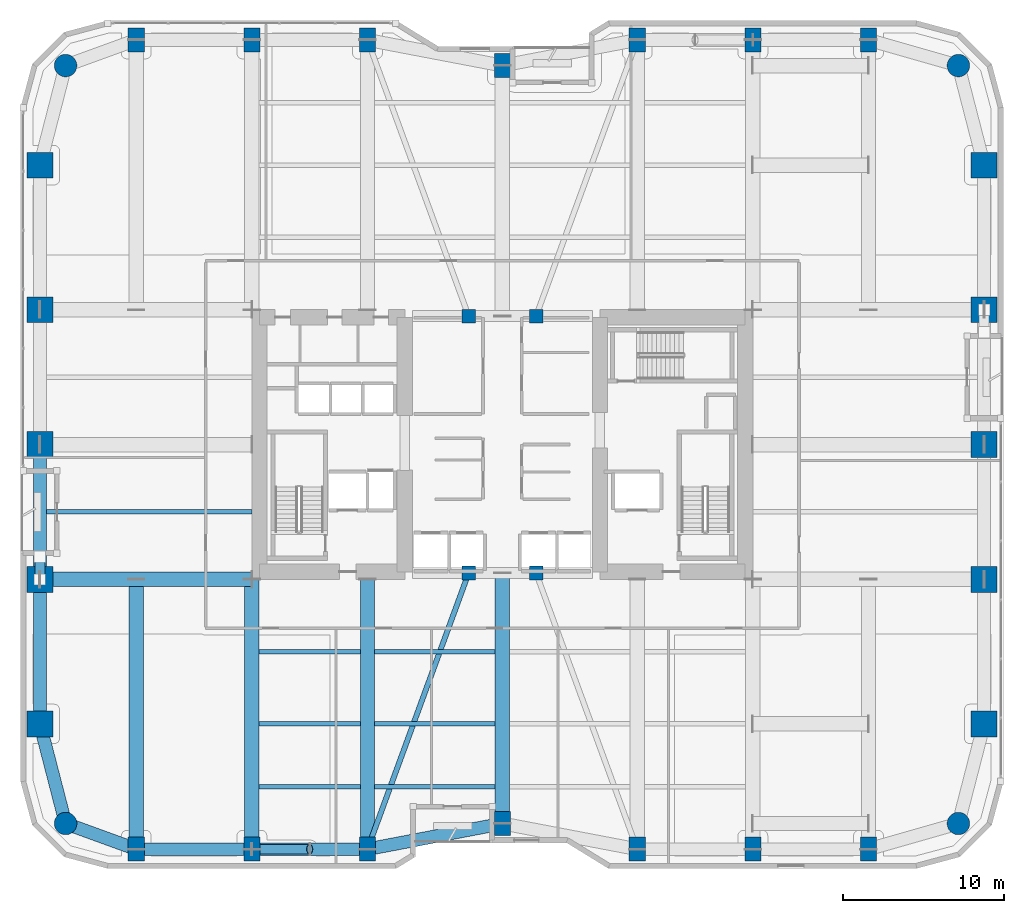
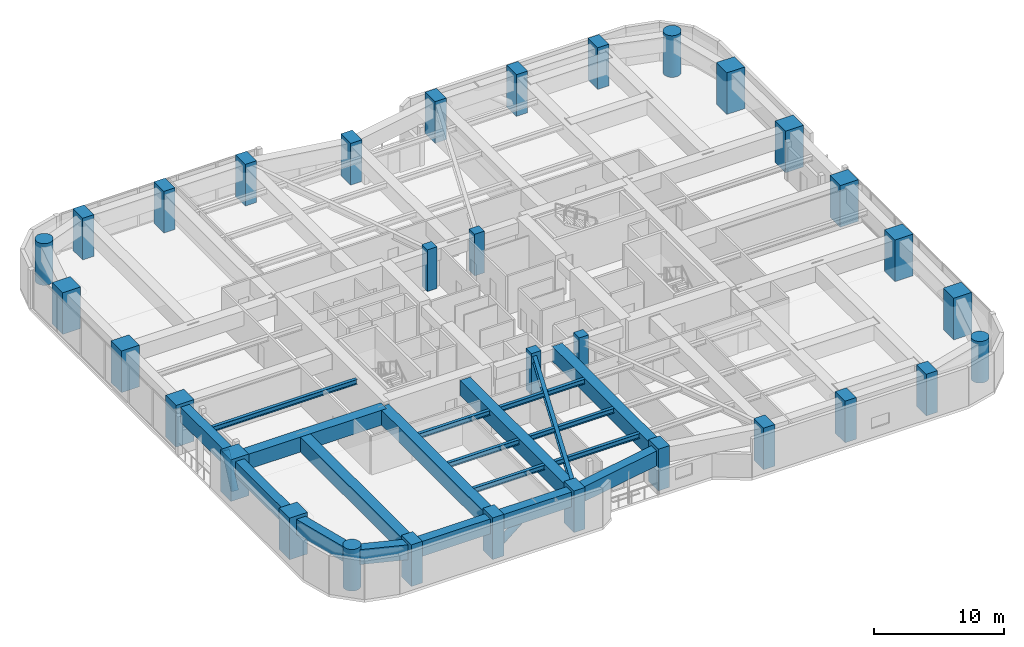
# One storey, part 1 of 28: 32 columns, 20 beams, 2 members.
"""IFC4 building model written with IfcOpenShell, lengths in metres."""

from ifc_helpers import new_model, si_unit, direction, frame, origin, origin_2d, place, context, subcontext, project, spatial, rectangle, hollow_rectangle, circle, hollow_circle, i_section, extrude, material, material_profile, profile_set, type_object, element, save


model = new_model("IFC4")

# Units and contexts
model_context = context("Model", 3, precision=1e-05, world=origin(), true_north=direction((0.0, 1.0)))
body_context = subcontext(model_context, "Body", "Model", "MODEL_VIEW")
ifc_project = project(units=[si_unit("LENGTHUNIT", "METRE"), si_unit("AREAUNIT", "SQUARE_METRE"), si_unit("VOLUMEUNIT", "CUBIC_METRE"), si_unit("PLANEANGLEUNIT", "RADIAN"), si_unit("MASSUNIT", "GRAM", prefix="KILO")], contexts=[model_context])

# Site, building, storey
site_placement = place(None, origin())
site = spatial("IfcSite", under=ifc_project, at=site_placement, CompositionType="ELEMENT")
building_placement = place(site_placement, origin())
building = spatial("IfcBuilding", under=site, at=building_placement, Name="Kiyonajd Concourse Tower", CompositionType="ELEMENT")
storey_placement = place(building_placement, frame((0.0, 0.0, 76.800048828125)))
storey = spatial("IfcBuildingStorey", under=building, at=storey_placement, Name="L20", CompositionType="ELEMENT", Elevation=76.800048828125)

# Columns
ifc_material_1 = material(Name="Concrete C80/95", Category="concrete")
ifc_material_profile_1 = material_profile(ifc_material_1, rectangle(XDim=1.0, YDim=1.5, at=origin_2d()), Name="RC-1500x1000")
ifc_profile_set_1 = profile_set([ifc_material_profile_1], Name="Concrete C80/95")
column_type_1 = type_object("IfcColumnType", Name="CL-BLADE-1500", PredefinedType="COLUMN", material=ifc_profile_set_1)
for number, where, z_axis, x_axis, name in (
    (1, (25.199951171875, 10.800048828125, 0.0), (0.0, 0.0, 1.0), (1.0, 0.0, 0.0), "L20 Perimeter Bundled Tube Column"),
    (2, (25.199951171875, 61.199951171875, 0.0), (0.0, 0.0, 1.0), (1.0, 0.0, 0.0), "L20 Perimeter Bundled Tube Column"),
    (3, (32.39990234375, 10.800048828125, 0.0), (0.0, 0.0, 1.0), (1.0, 0.0, 0.0), "L20 Perimeter Bundled Tube Column"),
    (4, (32.39990234375, 61.199951171875, 0.0), (0.0, 0.0, 1.0), (1.0, 0.0, 0.0), "L20 Perimeter Bundled Tube Column"),
    (5, (39.60009765625, 10.800048828125, 0.0), (0.0, 0.0, 1.0), (1.0, 0.0, 0.0), "L20 Perimeter Bundled Tube Column"),
    (6, (39.60009765625, 61.199951171875, 0.0), (0.0, 0.0, 1.0), (1.0, 0.0, 0.0), "L20 Perimeter Bundled Tube Column"),
    (7, (48.0, 12.39990234375, 0.0), (0.0, 0.0, 1.0), (1.0, 0.0, 0.0), "L20 Perimeter Bundled Tube Column"),
    (8, (48.0, 59.60009765625, 0.0), (0.0, 0.0, 1.0), (1.0, 0.0, 0.0), "L20 Perimeter Bundled Tube Column"),
    (9, (56.39990234375, 10.800048828125, 0.0), (0.0, 0.0, 1.0), (1.0, 0.0, 0.0), "L20 Perimeter Bundled Tube Column"),
    (10, (56.39990234375, 61.199951171875, 0.0), (0.0, 0.0, 1.0), (1.0, 0.0, 0.0), "L20 Perimeter Bundled Tube Column"),
    (11, (63.60009765625, 10.800048828125, 0.0), (0.0, 0.0, 1.0), (1.0, 0.0, 0.0), "L20 Perimeter Bundled Tube Column"),
    (12, (63.60009765625, 61.199951171875, 0.0), (0.0, 0.0, 1.0), (1.0, 0.0, 0.0), "L20 Perimeter Bundled Tube Column"),
    (13, (70.800048828125, 10.800048828125, 0.0), (0.0, 0.0, 1.0), (1.0, 0.0, 0.0), "L20 Perimeter Bundled Tube Column"),
    (14, (70.800048828125, 61.199951171875, 0.0), (0.0, 0.0, 1.0), (1.0, 0.0, 0.0), "L20 Perimeter Bundled Tube Column"),
):
    element("IfcColumn", number, at=place(storey_placement, frame(where, z_axis=z_axis, x_axis=x_axis)), inside=storey, type_object=column_type_1, Name=name, PredefinedType="COLUMN", context=body_context, shape_type="SweptSolid", body=[
        extrude(rectangle(XDim=1.0, YDim=1.5, at=origin_2d()), origin(), (0.0, 0.0, 1.0), 3.89990234375),
    ])
ifc_material_profile_2 = material_profile(ifc_material_1, circle(Radius=0.699951171875, at=origin_2d()), Name="RCC-D1400")
ifc_profile_set_2 = profile_set([ifc_material_profile_2], Name="Concrete C80/95")
column_type_2 = type_object("IfcColumnType", Name="CL-RND-1400", PredefinedType="COLUMN", material=ifc_profile_set_2)
for number, where, z_axis, x_axis, name in (
    (15, (20.800048828125, 12.39990234375, 0.0), (0.0, 0.0, 1.0), (1.0, 0.0, 0.0), "L20 Bundled Tube Corner Column South West"),
    (16, (76.39990234375, 12.39990234375, 0.0), (0.0, 0.0, 1.0), (1.0, 0.0, 0.0), "L20 Bundled Tube Corner Column South East"),
    (17, (76.39990234375, 59.60009765625, 0.0), (0.0, 0.0, 1.0), (1.0, 0.0, 0.0), "L20 Bundled Tube Corner Column North East"),
    (18, (20.800048828125, 59.60009765625, 0.0), (0.0, 0.0, 1.0), (1.0, 0.0, 0.0), "L20 Bundled Tube Corner Column North West"),
):
    element("IfcColumn", number, at=place(storey_placement, frame(where, z_axis=z_axis, x_axis=x_axis)), inside=storey, type_object=column_type_2, Name=name, PredefinedType="COLUMN", context=body_context, shape_type="SweptSolid", body=[
        extrude(circle(Radius=0.699951171875, at=origin_2d()), origin(), (0.0, 0.0, 1.0), 3.89990234375),
    ])
ifc_material_profile_3 = material_profile(ifc_material_1, rectangle(XDim=1.60009765625, YDim=1.60009765625, at=origin_2d()), Name="RC-1600x1600")
ifc_profile_set_3 = profile_set([ifc_material_profile_3], Name="Concrete C80/95")
column_type_3 = type_object("IfcColumnType", Name="CL-TUBE-1600", PredefinedType="COLUMN", material=ifc_profile_set_3)
for number, where, z_axis, x_axis, name in (
    (19, (19.199951171875, 18.60009765625, 0.0), (0.0, 0.0, 1.0), (1.0, 0.0, 0.0), "L20 Perimeter Bundled Tube Column"),
    (20, (78.0, 18.60009765625, 0.0), (0.0, 0.0, 1.0), (1.0, 0.0, 0.0), "L20 Perimeter Bundled Tube Column"),
    (21, (19.199951171875, 27.60009765625, 0.0), (0.0, 0.0, 1.0), (1.0, 0.0, 0.0), "L20 Perimeter Bundled Tube Column"),
    (22, (78.0, 27.60009765625, 0.0), (0.0, 0.0, 1.0), (1.0, 0.0, 0.0), "L20 Perimeter Bundled Tube Column"),
    (23, (19.199951171875, 36.0, 0.0), (0.0, 0.0, 1.0), (1.0, 0.0, 0.0), "L20 Perimeter Bundled Tube Column"),
    (24, (78.0, 36.0, 0.0), (0.0, 0.0, 1.0), (1.0, 0.0, 0.0), "L20 Perimeter Bundled Tube Column"),
    (25, (19.199951171875, 44.39990234375, 0.0), (0.0, 0.0, 1.0), (1.0, 0.0, 0.0), "L20 Perimeter Bundled Tube Column"),
    (26, (78.0, 44.39990234375, 0.0), (0.0, 0.0, 1.0), (1.0, 0.0, 0.0), "L20 Perimeter Bundled Tube Column"),
    (27, (19.199951171875, 53.39990234375, 0.0), (0.0, 0.0, 1.0), (1.0, 0.0, 0.0), "L20 Perimeter Bundled Tube Column"),
    (28, (78.0, 53.39990234375, 0.0), (0.0, 0.0, 1.0), (1.0, 0.0, 0.0), "L20 Perimeter Bundled Tube Column"),
):
    element("IfcColumn", number, at=place(storey_placement, frame(where, z_axis=z_axis, x_axis=x_axis)), inside=storey, type_object=column_type_3, Name=name, PredefinedType="COLUMN", context=body_context, shape_type="SweptSolid", body=[
        extrude(rectangle(XDim=1.60009765625, YDim=1.60009765625, at=origin_2d()), origin(), (0.0, 0.0, 1.0), 3.89990234375),
    ])
ifc_material_2 = material(Name="Concrete C60/75", Category="concrete")
ifc_material_profile_4 = material_profile(ifc_material_2, rectangle(XDim=0.85009765625, YDim=0.85009765625, at=origin_2d()), Name="RC-850x850")
ifc_profile_set_4 = profile_set([ifc_material_profile_4], Name="Concrete C60/75")
column_type_4 = type_object("IfcColumnType", Name="CL-TUBE-850", PredefinedType="COLUMN", material=ifc_profile_set_4)
for number, where, z_axis, x_axis, name in (
    (29, (45.89990234375, 28.0, 0.0), (0.0, 0.0, 1.0), (1.0, 0.0, 0.0), "L20 Core Tie Column South West"),
    (30, (50.10009765625, 28.0, 0.0), (0.0, 0.0, 1.0), (1.0, 0.0, 0.0), "L20 Core Tie Column South East"),
    (31, (45.89990234375, 44.0, 0.0), (0.0, 0.0, 1.0), (1.0, 0.0, 0.0), "L20 Core Tie Column North West"),
    (32, (50.10009765625, 44.0, 0.0), (0.0, 0.0, 1.0), (1.0, 0.0, 0.0), "L20 Core Tie Column North East"),
):
    element("IfcColumn", number, at=place(storey_placement, frame(where, z_axis=z_axis, x_axis=x_axis)), inside=storey, type_object=column_type_4, Name=name, PredefinedType="COLUMN", context=body_context, shape_type="SweptSolid", body=[
        extrude(rectangle(XDim=0.85009765625, YDim=0.85009765625, at=origin_2d()), origin(), (0.0, 0.0, 1.0), 3.89990234375),
    ])

# Beams
ifc_material_3 = material(Name="Steel ASTM A992 Grade 50", Category="steel")
ifc_material_profile_5 = material_profile(ifc_material_3, i_section(OverallWidth=0.280029296875, OverallDepth=0.462890625, WebThickness=0.0107421875, FlangeThickness=0.017333984375, at=origin_2d()), Name="W460X113")
ifc_profile_set_5 = profile_set([ifc_material_profile_5], Name="Steel ASTM A992 Grade 50")
beam_type_1 = type_object("IfcBeamType", Name="BM-JST-460A", PredefinedType="JOIST", material=ifc_profile_set_5)
beam_1_placement = place(storey_placement, frame((32.85009765625, 14.699951171875, 3.368408203125), z_axis=(1.0, 0.0, 0.0), x_axis=(0.0, 1.0, 0.0)))
element("IfcBeam", 33, at=beam_1_placement, inside=storey, type_object=beam_type_1, Name="L20 Secondary Floor Joist", PredefinedType="JOIST", context=body_context, shape_type="SweptSolid", body=[
    extrude(i_section(OverallWidth=0.280029296875, OverallDepth=0.462890625, WebThickness=0.0107421875, FlangeThickness=0.017333984375, at=origin_2d()), origin(), (0.0, 0.0, 1.0), 6.2998046875),
])
beam_2_placement = place(storey_placement, frame((40.050048828125, 14.699951171875, 3.368408203125), z_axis=(1.0, 0.0, 0.0), x_axis=(0.0, 1.0, 0.0)))
element("IfcBeam", 34, at=beam_2_placement, inside=storey, type_object=beam_type_1, Name="L20 Secondary Floor Joist", PredefinedType="JOIST", context=body_context, shape_type="SweptSolid", body=[
    extrude(i_section(OverallWidth=0.280029296875, OverallDepth=0.462890625, WebThickness=0.0107421875, FlangeThickness=0.017333984375, at=origin_2d()), origin(), (0.0, 0.0, 1.0), 7.5),
])
beam_3_placement = place(storey_placement, frame((32.85009765625, 18.60009765625, 3.368408203125), z_axis=(1.0, 0.0, 0.0), x_axis=(0.0, 1.0, 0.0)))
element("IfcBeam", 35, at=beam_3_placement, inside=storey, type_object=beam_type_1, Name="L20 Secondary Floor Joist", PredefinedType="JOIST", context=body_context, shape_type="SweptSolid", body=[
    extrude(i_section(OverallWidth=0.280029296875, OverallDepth=0.462890625, WebThickness=0.0107421875, FlangeThickness=0.017333984375, at=origin_2d()), origin(), (0.0, 0.0, 1.0), 6.2998046875),
])
beam_4_placement = place(storey_placement, frame((40.050048828125, 18.60009765625, 3.368408203125), z_axis=(1.0, 0.0, 0.0), x_axis=(0.0, 1.0, 0.0)))
element("IfcBeam", 36, at=beam_4_placement, inside=storey, type_object=beam_type_1, Name="L20 Secondary Floor Joist", PredefinedType="JOIST", context=body_context, shape_type="SweptSolid", body=[
    extrude(i_section(OverallWidth=0.280029296875, OverallDepth=0.462890625, WebThickness=0.0107421875, FlangeThickness=0.017333984375, at=origin_2d()), origin(), (0.0, 0.0, 1.0), 7.5),
])
beam_5_placement = place(storey_placement, frame((32.85009765625, 23.10009765625, 3.368408203125), z_axis=(1.0, 0.0, 0.0), x_axis=(0.0, 1.0, 0.0)))
element("IfcBeam", 37, at=beam_5_placement, inside=storey, type_object=beam_type_1, Name="L20 Secondary Floor Joist", PredefinedType="JOIST", context=body_context, shape_type="SweptSolid", body=[
    extrude(i_section(OverallWidth=0.280029296875, OverallDepth=0.462890625, WebThickness=0.0107421875, FlangeThickness=0.017333984375, at=origin_2d()), origin(), (0.0, 0.0, 1.0), 6.2998046875),
])
beam_6_placement = place(storey_placement, frame((40.050048828125, 23.10009765625, 3.368408203125), z_axis=(1.0, 0.0, 0.0), x_axis=(0.0, 1.0, 0.0)))
element("IfcBeam", 38, at=beam_6_placement, inside=storey, type_object=beam_type_1, Name="L20 Secondary Floor Joist", PredefinedType="JOIST", context=body_context, shape_type="SweptSolid", body=[
    extrude(i_section(OverallWidth=0.280029296875, OverallDepth=0.462890625, WebThickness=0.0107421875, FlangeThickness=0.017333984375, at=origin_2d()), origin(), (0.0, 0.0, 1.0), 7.5),
])
beam_7_placement = place(storey_placement, frame((19.60009765625, 31.800048828125, 3.368408203125), z_axis=(1.0, 0.0, 0.0), x_axis=(0.0, 1.0, 0.0)))
element("IfcBeam", 39, at=beam_7_placement, inside=storey, type_object=beam_type_1, Name="L20 West Secondary Floor Joist", PredefinedType="JOIST", context=body_context, shape_type="SweptSolid", body=[
    extrude(i_section(OverallWidth=0.280029296875, OverallDepth=0.462890625, WebThickness=0.0107421875, FlangeThickness=0.017333984375, at=origin_2d()), origin(), (0.0, 0.0, 1.0), 12.7998046875),
])
ifc_material_profile_6 = material_profile(ifc_material_3, i_section(OverallWidth=0.326904296875, OverallDepth=0.6220703125, WebThickness=0.015380859375, FlangeThickness=0.0244140625, at=origin_2d()), Name="W610X195")
ifc_profile_set_6 = profile_set([ifc_material_profile_6], Name="Steel ASTM A992 Grade 50")
beam_type_2 = type_object("IfcBeamType", Name="BM-TWR-610A", PredefinedType="BEAM", material=ifc_profile_set_6)
beam_8_placement = place(storey_placement, frame((39.60009765625, 10.800048828125, 3.2890625), z_axis=(0.343925269715, 0.938997022813, 0.0), x_axis=(-0.938997022813, 0.343925269715, 0.0)))
element("IfcBeam", 40, at=beam_8_placement, inside=storey, type_object=beam_type_2, Name="L20 Core Tie Girder", PredefinedType="BEAM", context=body_context, shape_type="SweptSolid", body=[
    extrude(i_section(OverallWidth=0.326904296875, OverallDepth=0.6220703125, WebThickness=0.015380859375, FlangeThickness=0.0244140625, at=origin_2d()), origin(), (0.0, 0.0, 1.0), 18.3173828125),
])
ifc_material_4 = material(Name="Steel ASTM A572 Grade 50", Category="steel")
ifc_material_profile_7 = material_profile(ifc_material_4, hollow_rectangle(XDim=0.89990234375, YDim=1.39990234375, WallThickness=0.070068359375, at=origin_2d()), Name="BOX-1400x900x70")
ifc_profile_set_7 = profile_set([ifc_material_profile_7], Name="Steel ASTM A572 Grade 50")
beam_type_3 = type_object("IfcBeamType", Name="BM-XFER-1400", PredefinedType="BEAM", material=ifc_profile_set_7)
for number, where, z_axis, x_axis, name in (
    (41, (25.199951171875, 10.800048828125, 2.89990234375), (0.0, 1.0, 0.0), (-1.0, 0.0, 0.0), "L20 South Lease Girder"),
    (42, (32.39990234375, 10.800048828125, 2.89990234375), (0.0, 1.0, 0.0), (-1.0, 0.0, 0.0), "L20 South Lease Girder"),
    (43, (39.60009765625, 10.800048828125, 2.89990234375), (0.0, 1.0, 0.0), (-1.0, 0.0, 0.0), "L20 South Lease Girder"),
):
    element("IfcBeam", number, at=place(storey_placement, frame(where, z_axis=z_axis, x_axis=x_axis)), inside=storey, type_object=beam_type_3, Name=name, PredefinedType="BEAM", context=body_context, shape_type="SweptSolid", body=[
        extrude(hollow_rectangle(XDim=0.89990234375, YDim=1.39990234375, WallThickness=0.070068359375, at=origin_2d()), origin(), (0.0, 0.0, 1.0), 16.800048828125),
    ])
beam_9_placement = place(storey_placement, frame((48.0, 12.39990234375, 2.89990234375), z_axis=(0.0, 1.0, 0.0), x_axis=(-1.0, 0.0, 0.0)))
element("IfcBeam", 44, at=beam_9_placement, inside=storey, type_object=beam_type_3, Name="L20 South Ribbon Girder", PredefinedType="BEAM", context=body_context, shape_type="SweptSolid", body=[
    extrude(hollow_rectangle(XDim=0.89990234375, YDim=1.39990234375, WallThickness=0.070068359375, at=origin_2d()), origin(), (0.0, 0.0, 1.0), 15.60009765625),
])
beam_10_placement = place(storey_placement, frame((19.199951171875, 27.60009765625, 2.89990234375), z_axis=(1.0, 0.0, 0.0), x_axis=(0.0, 1.0, 0.0)))
element("IfcBeam", 45, at=beam_10_placement, inside=storey, type_object=beam_type_3, Name="L20 West Lease Girder", PredefinedType="BEAM", context=body_context, shape_type="SweptSolid", body=[
    extrude(hollow_rectangle(XDim=0.89990234375, YDim=1.39990234375, WallThickness=0.070068359375, at=origin_2d()), origin(), (0.0, 0.0, 1.0), 13.199951171875),
])
ifc_material_profile_8 = material_profile(ifc_material_2, rectangle(XDim=0.800048828125, YDim=1.39990234375, at=origin_2d()), Name="RCBM-800x1400")
ifc_profile_set_8 = profile_set([ifc_material_profile_8], Name="Concrete C60/75")
beam_type_4 = type_object("IfcBeamType", Name="BM-XFER-RC", PredefinedType="BEAM", material=ifc_profile_set_8)
beam_11_placement = place(storey_placement, frame((19.199951171875, 27.60009765625, 2.89990234375), z_axis=(0.0, -1.0, 0.0), x_axis=(1.0, 0.0, 0.0)))
element("IfcBeam", 46, at=beam_11_placement, inside=storey, type_object=beam_type_4, Name="L20 Perimeter Bundled Tube Spandrel", PredefinedType="BEAM", context=body_context, shape_type="SweptSolid", body=[
    extrude(rectangle(XDim=0.800048828125, YDim=1.39990234375, at=origin_2d()), origin(), (0.0, 0.0, 1.0), 9.0),
])
beam_12_placement = place(storey_placement, frame((19.199951171875, 18.60009765625, 2.89990234375), z_axis=(0.249884937687, -0.968275538221, 0.0), x_axis=(0.968275538221, 0.249884937687, 0.0)))
element("IfcBeam", 47, at=beam_12_placement, inside=storey, type_object=beam_type_4, Name="L20 Perimeter Bundled Tube Spandrel", PredefinedType="BEAM", context=body_context, shape_type="SweptSolid", body=[
    extrude(rectangle(XDim=0.800048828125, YDim=1.39990234375, at=origin_2d()), origin(), (0.0, 0.0, 1.0), 6.4033203125),
])
beam_13_placement = place(storey_placement, frame((20.800048828125, 12.39990234375, 2.89990234375), z_axis=(0.939801036019, -0.341722127901, 0.0), x_axis=(0.341722127901, 0.939801036019, 0.0)))
element("IfcBeam", 48, at=beam_13_placement, inside=storey, type_object=beam_type_4, Name="L20 Perimeter Bundled Tube Spandrel", PredefinedType="BEAM", context=body_context, shape_type="SweptSolid", body=[
    extrude(rectangle(XDim=0.800048828125, YDim=1.39990234375, at=origin_2d()), origin(), (0.0, 0.0, 1.0), 4.681640625),
])
beam_14_placement = place(storey_placement, frame((25.199951171875, 10.800048828125, 2.89990234375), z_axis=(1.0, 0.0, 0.0), x_axis=(0.0, 1.0, 0.0)))
element("IfcBeam", 49, at=beam_14_placement, inside=storey, type_object=beam_type_4, Name="L20 Perimeter Bundled Tube Spandrel", PredefinedType="BEAM", context=body_context, shape_type="SweptSolid", body=[
    extrude(rectangle(XDim=0.800048828125, YDim=1.39990234375, at=origin_2d()), origin(), (0.0, 0.0, 1.0), 7.199951171875),
])
beam_15_placement = place(storey_placement, frame((32.39990234375, 10.800048828125, 2.89990234375), z_axis=(1.0, 0.0, 0.0), x_axis=(0.0, 1.0, 0.0)))
element("IfcBeam", 50, at=beam_15_placement, inside=storey, type_object=beam_type_4, Name="L20 Perimeter Bundled Tube Spandrel", PredefinedType="BEAM", context=body_context, shape_type="SweptSolid", body=[
    extrude(rectangle(XDim=0.800048828125, YDim=1.39990234375, at=origin_2d()), origin(), (0.0, 0.0, 1.0), 7.2001953125),
])
beam_16_placement = place(storey_placement, frame((39.60009765625, 10.800048828125, 2.89990234375), z_axis=(0.982341315253, 0.187097675953, 0.0), x_axis=(-0.187097675953, 0.982341315253, 0.0)))
element("IfcBeam", 51, at=beam_16_placement, inside=storey, type_object=beam_type_4, Name="L20 Perimeter Bundled Tube Spandrel", PredefinedType="BEAM", context=body_context, shape_type="SweptSolid", body=[
    extrude(rectangle(XDim=0.800048828125, YDim=1.39990234375, at=origin_2d()), origin(), (0.0, 0.0, 1.0), 8.55078125),
])
beam_17_placement = place(storey_placement, frame((19.199951171875, 36.0, 2.89990234375), z_axis=(0.0, -1.0, 0.0), x_axis=(1.0, 0.0, 0.0)))
element("IfcBeam", 52, at=beam_17_placement, inside=storey, type_object=beam_type_4, Name="L20 Perimeter Bundled Tube Spandrel", PredefinedType="BEAM", context=body_context, shape_type="SweptSolid", body=[
    extrude(rectangle(XDim=0.800048828125, YDim=1.39990234375, at=origin_2d()), origin(), (0.0, 0.0, 1.0), 8.39990234375),
])

# Members
ifc_material_profile_9 = material_profile(ifc_material_4, hollow_circle(Radius=0.304931640625, WallThickness=0.02490234375, at=origin_2d()), Name="CHS-610x25")
ifc_profile_set_9 = profile_set([ifc_material_profile_9], Name="Steel ASTM A572 Grade 50")
member_type = type_object("IfcMemberType", Name="MB-PB-LOW", PredefinedType="BRACE", material=ifc_profile_set_9)
member_1_placement = place(storey_placement, frame((32.39990234375, 10.800048828125, 0.300048828125), z_axis=(0.773492012438, 0.0, 0.633806048168), x_axis=(0.0, 1.0, 0.0)))
element("IfcMember", 53, at=member_1_placement, inside=storey, type_object=member_type, Name="L20 Lower Zone Welded Tube Brace PBS", PredefinedType="BRACE", context=body_context, shape_type="SweptSolid", body=[
    extrude(hollow_circle(Radius=0.304931640625, WallThickness=0.02490234375, at=origin_2d()), origin(), (0.0, 0.0, 1.0), 4.654296875),
])
member_2_placement = place(storey_placement, frame((19.199951171875, 27.60009765625, 0.300048828125), z_axis=(0.0, 0.428725834465, 0.903434645595), x_axis=(-1.0, 0.0, 0.0)))
element("IfcMember", 54, at=member_2_placement, inside=storey, type_object=member_type, Name="L20 Lower Zone Welded Tube Brace PBW", PredefinedType="BRACE", context=body_context, shape_type="SweptSolid", body=[
    extrude(hollow_circle(Radius=0.304931640625, WallThickness=0.02490234375, at=origin_2d()), origin(), (0.0, 0.0, 1.0), 3.265380859375),
])

save(model, "model.ifc")
